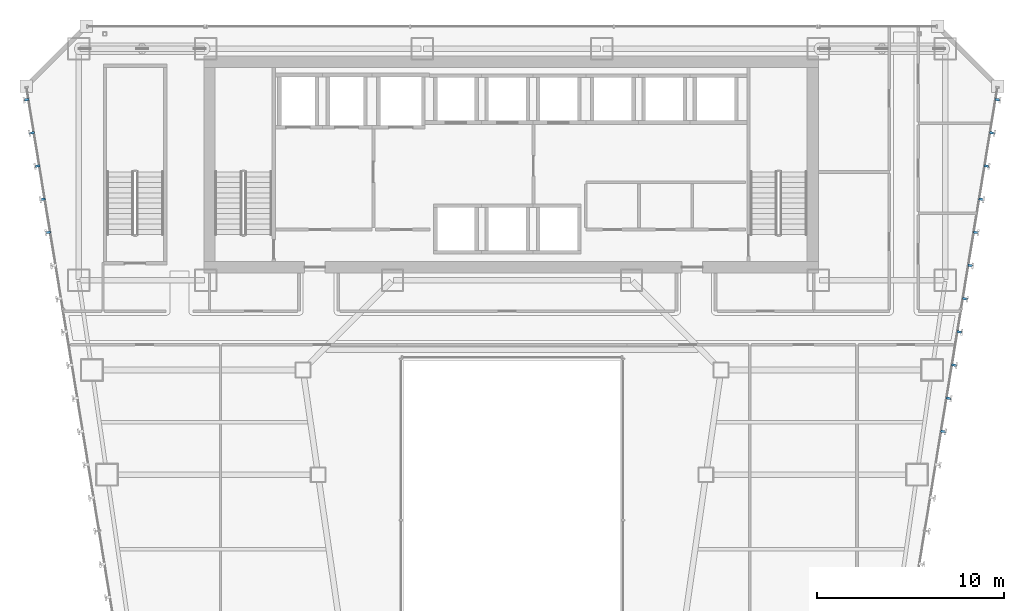
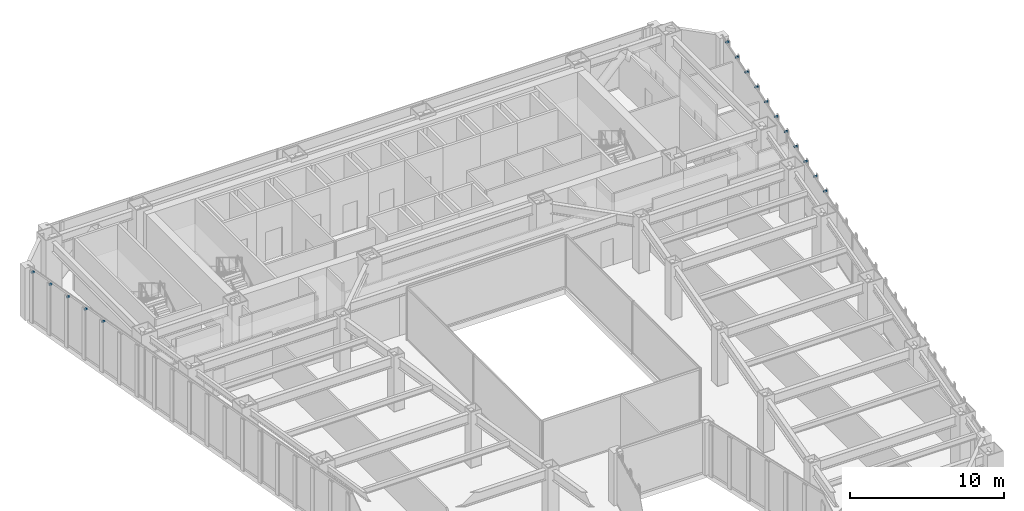
# One storey, part 40 of 49: 16 discrete accessories.
"""IFC4 building model written with IfcOpenShell, lengths in metres."""

from ifc_helpers import new_model, si_unit, direction, frame, origin, origin_2d, place, context, subcontext, project, spatial, rectangle, extrude, material, layer, layer_set, type_object, element, save


model = new_model("IFC4")

# Units and contexts
model_context = context("Model", 3, precision=1e-05, world=origin(), true_north=direction((0.0, 1.0)))
body_context = subcontext(model_context, "Body", "Model", "MODEL_VIEW")
ifc_project = project(units=[si_unit("LENGTHUNIT", "METRE"), si_unit("AREAUNIT", "SQUARE_METRE"), si_unit("VOLUMEUNIT", "CUBIC_METRE"), si_unit("PLANEANGLEUNIT", "RADIAN"), si_unit("MASSUNIT", "GRAM", prefix="KILO")], contexts=[model_context])

# Site, building, storey
site_placement = place(None, origin())
site = spatial("IfcSite", under=ifc_project, at=site_placement, CompositionType="ELEMENT")
building_placement = place(site_placement, origin())
building = spatial("IfcBuilding", under=site, at=building_placement, Name="Saevonmaru Cultural Tower", CompositionType="ELEMENT")
storey_placement = place(building_placement, frame((0.0, 0.0, 38.39990234375)))
storey = spatial("IfcBuildingStorey", under=building, at=storey_placement, Name="L07", CompositionType="ELEMENT", Elevation=38.39990234375)

# Discrete accessories
ifc_material = material(Name="Stainless Steel 316", Category="steel")
ifc_layer = layer(ifc_material, 0.1201171875, Name="Stainless Steel 316")
ifc_layer_set = layer_set([ifc_layer], Name="Stainless Steel 316")
discrete_accessory_type = type_object("IfcDiscreteAccessoryType", Name="ACC-FIN-BRKT", PredefinedType="BRACKET", material=ifc_layer_set)
for number, where, z_axis, x_axis, name in (
    (1, (53.081787109375, 34.31103515625, 3.929931640625), (0.0, 0.0, 1.0), (0.986827496189, -0.161776057456, 0.0), "L07 Bronze Fin Bracket E8-17"),
    (2, (53.372802734375, 36.08740234375, 3.929931640625), (0.0, 0.0, 1.0), (0.986827496189, -0.161776057456, 0.0), "L07 Bronze Fin Bracket E8-18"),
    (3, (53.663818359375, 37.86376953125, 3.929931640625), (0.0, 0.0, 1.0), (0.986827496189, -0.161776057456, 0.0), "L07 Bronze Fin Bracket E8-19"),
    (4, (53.955078125, 39.64013671875, 3.929931640625), (0.0, 0.0, 1.0), (0.986827496189, -0.161776057456, 0.0), "L07 Bronze Fin Bracket E8-20"),
    (5, (54.24609375, 41.41650390625, 3.929931640625), (0.0, 0.0, 1.0), (0.986827496189, -0.161776057456, 0.0), "L07 Bronze Fin Bracket E8-21"),
    (6, (54.537109375, 43.192626953125, 3.929931640625), (0.0, 0.0, 1.0), (0.986827496189, -0.161776057456, 0.0), "L07 Bronze Fin Bracket E8-22"),
    (7, (54.828125, 44.968994140625, 3.929931640625), (0.0, 0.0, 1.0), (0.986827496189, -0.161776057456, 0.0), "L07 Bronze Fin Bracket E8-23"),
    (8, (55.119384765625, 46.745361328125, 3.929931640625), (0.0, 0.0, 1.0), (0.986827496189, -0.161776057456, 0.0), "L07 Bronze Fin Bracket E8-24"),
    (9, (55.410400390625, 48.521484375, 3.929931640625), (0.0, 0.0, 1.0), (0.986827496189, -0.161776057456, 0.0), "L07 Bronze Fin Bracket E8-25"),
    (10, (55.701416015625, 50.2978515625, 3.929931640625), (0.0, 0.0, 1.0), (0.986827496189, -0.161776057456, 0.0), "L07 Bronze Fin Bracket E8-26"),
    (11, (55.992431640625, 52.07421875, 3.929931640625), (0.0, 0.0, 1.0), (0.986827496189, -0.161776057456, 0.0), "L07 Bronze Fin Bracket E8-27"),
    (12, (4.007568359375, 52.07421875, 3.929931640625), (0.0, 0.0, 1.0), (-0.986827496189, -0.161776057456, 0.0), "L07 Bronze Fin Bracket E12-01"),
    (13, (4.298583984375, 50.2978515625, 3.929931640625), (0.0, 0.0, 1.0), (-0.986827496189, -0.161776057456, 0.0), "L07 Bronze Fin Bracket E12-02"),
    (14, (4.589599609375, 48.521484375, 3.929931640625), (0.0, 0.0, 1.0), (-0.986827496189, -0.161776057456, 0.0), "L07 Bronze Fin Bracket E12-03"),
    (15, (4.880615234375, 46.745361328125, 3.929931640625), (0.0, 0.0, 1.0), (-0.986827496189, -0.161776057456, 0.0), "L07 Bronze Fin Bracket E12-04"),
    (16, (5.171875, 44.968994140625, 3.929931640625), (0.0, 0.0, 1.0), (-0.986827496189, -0.161776057456, 0.0), "L07 Bronze Fin Bracket E12-05"),
):
    element("IfcDiscreteAccessory", number, at=place(storey_placement, frame(where, z_axis=z_axis, x_axis=x_axis)), inside=storey, type_object=discrete_accessory_type, Name=name, PredefinedType="BRACKET", context=body_context, shape_type="SweptSolid", body=[
        extrude(rectangle(XDim=0.260009765625, YDim=0.1201171875, at=origin_2d()), origin(), (0.0, 0.0, 1.0), 0.1201171875),
    ])

save(model, "model.ifc")
